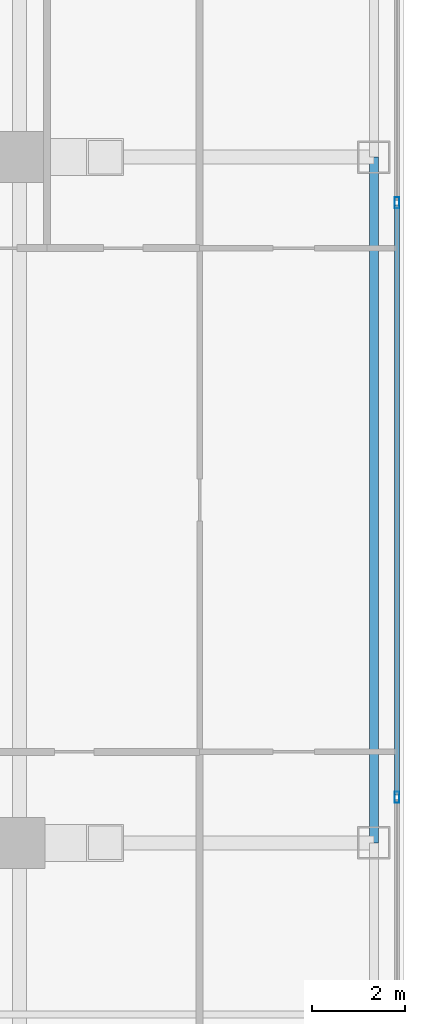
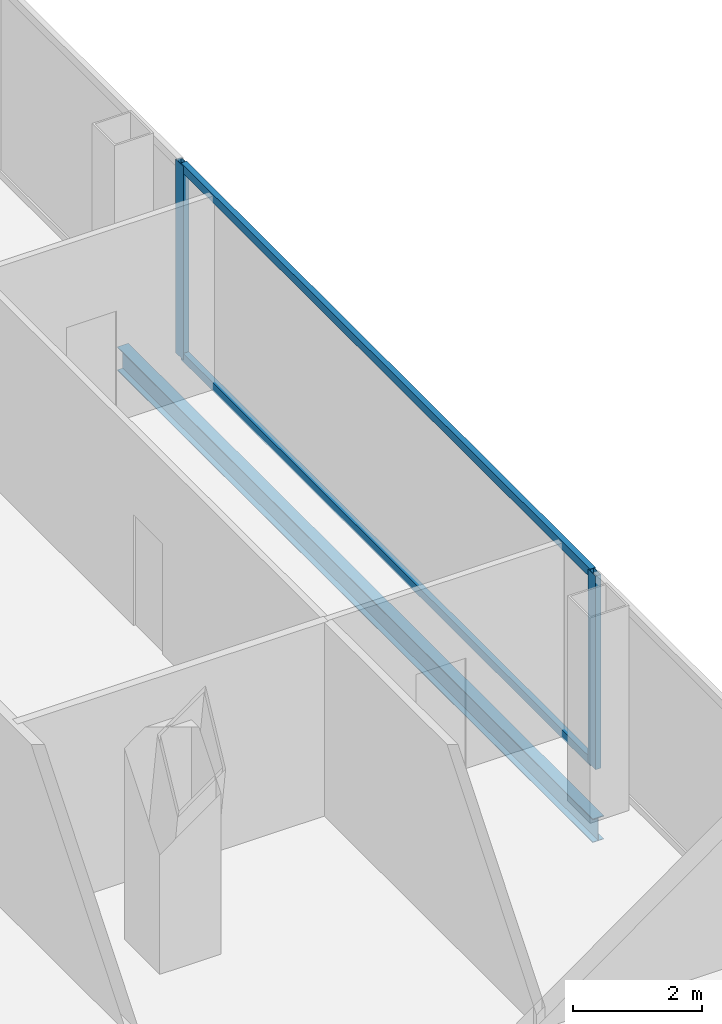
# One storey, part 13 of 32: 4 members, 1 beam, 1 element without a shape of its own.
"""IFC4 building model written with IfcOpenShell, lengths in metres."""

from ifc_helpers import new_model, si_unit, direction, frame, origin, origin_2d, place, context, subcontext, project, spatial, hollow_rectangle, i_section, extrude, material, layer, layer_set, material_profile, profile_set, type_object, element, aggregate, save


model = new_model("IFC4")

# Units and contexts
model_context = context("Model", 3, precision=1e-05, world=origin(), true_north=direction((0.0, 1.0)))
body_context = subcontext(model_context, "Body", "Model", "MODEL_VIEW")
ifc_project = project(units=[si_unit("LENGTHUNIT", "METRE"), si_unit("AREAUNIT", "SQUARE_METRE"), si_unit("VOLUMEUNIT", "CUBIC_METRE"), si_unit("PLANEANGLEUNIT", "RADIAN"), si_unit("MASSUNIT", "GRAM", prefix="KILO")], contexts=[model_context])

# Site, building, storey
site_placement = place(None, origin())
site = spatial("IfcSite", under=ifc_project, at=site_placement, CompositionType="ELEMENT")
building_placement = place(site_placement, origin())
building = spatial("IfcBuilding", under=site, at=building_placement, Name="Khorvyn Point Tower", CompositionType="ELEMENT")
storey_placement = place(building_placement, frame((0.0, 0.0, 148.5)))
storey = spatial("IfcBuildingStorey", under=building, at=storey_placement, Name="L37", CompositionType="ELEMENT", Elevation=148.5)

# Curtain wall, members
ifc_material_1 = material(Name="Anodised aluminium 6063-T6 and laminated Low-E glass", Category="aluminium")
ifc_layer = layer(ifc_material_1, 0.18994140625)
ifc_layer_set = layer_set([ifc_layer], Name="Stick-Built Acoustic Curtain Wall CW-SYS-03")
curtain_wall_type = type_object("IfcCurtainWallType", Name="Stick-Built Acoustic Curtain Wall CW-SYS-03", PredefinedType="NOTDEFINED", material=ifc_layer_set)
curtain_wall_placement = place(storey_placement, origin())
curtain_wall = element("IfcCurtainWall", 1, at=curtain_wall_placement, inside=storey, type_object=curtain_wall_type, Name="Curtain Wall", PredefinedType="NOTDEFINED")
ifc_material_2 = material(Name="Anodised aluminium 6063-T6", Category="aluminium")
ifc_material_profile_1 = material_profile(ifc_material_2, hollow_rectangle(XDim=0.10009765625, YDim=0.239990234375, WallThickness=0.0048828125, at=origin_2d()))
ifc_profile_set_1 = profile_set([ifc_material_profile_1], Name="Anodised aluminium 6063-T6 ALU-MUL-100x240")
member_type_1 = type_object("IfcMemberType", Name="Anodised Aluminium 6063-T6 Mullion ALU-MUL-100x240", PredefinedType="MULLION", material=ifc_profile_set_1)
member_1_placement = place(storey_placement, frame((27.550048828125, 6.416748046875, 0.0), z_axis=(0.0, 0.0, 1.0), x_axis=(1.0, 0.0, 0.0)))
member_1 = element("IfcMember", 2, at=member_1_placement, type_object=member_type_1, Name="Transom", PredefinedType="MULLION", context=body_context, shape_type="SweptSolid", body=[
    extrude(hollow_rectangle(XDim=0.10009765625, YDim=0.239990234375, WallThickness=0.0048828125, at=origin_2d()), origin(), (0.0, 0.0, 1.0), 3.679931640625),
])
member_2_placement = place(storey_placement, frame((27.550048828125, -6.416748046875, 0.0), z_axis=(0.0, 0.0, 1.0), x_axis=(1.0, 0.0, 0.0)))
member_2 = element("IfcMember", 3, at=member_2_placement, type_object=member_type_1, Name="Transom", PredefinedType="MULLION", context=body_context, shape_type="SweptSolid", body=[
    extrude(hollow_rectangle(XDim=0.10009765625, YDim=0.239990234375, WallThickness=0.0048828125, at=origin_2d()), origin(), (0.0, 0.0, 1.0), 3.679931640625),
])
ifc_material_profile_2 = material_profile(ifc_material_2, hollow_rectangle(XDim=0.10009765625, YDim=0.159912109375, WallThickness=0.00439453125, at=origin_2d()))
ifc_profile_set_2 = profile_set([ifc_material_profile_2], Name="Anodised aluminium 6063-T6 ALU-TRN-100x160")
member_type_2 = type_object("IfcMemberType", Name="Anodised Aluminium 6063-T6 Transom ALU-TRN-100x160", PredefinedType="USERDEFINED", material=ifc_profile_set_2)
member_3_placement = place(storey_placement, frame((27.550048828125, 6.36669921875, 0.050048828125), z_axis=(0.0, -1.0, 0.0), x_axis=(1.0, 0.0, 0.0)))
member_3 = element("IfcMember", 4, at=member_3_placement, type_object=member_type_2, Name="Transom", ObjectType="TRANSOM", PredefinedType="USERDEFINED", context=body_context, shape_type="SweptSolid", body=[
    extrude(hollow_rectangle(XDim=0.10009765625, YDim=0.159912109375, WallThickness=0.00439453125, at=origin_2d()), origin(), (0.0, 0.0, 1.0), 12.7333984375),
])
member_4_placement = place(storey_placement, frame((27.550048828125, 6.36669921875, 3.6298828125), z_axis=(0.0, -1.0, 0.0), x_axis=(1.0, 0.0, 0.0)))
member_4 = element("IfcMember", 5, at=member_4_placement, type_object=member_type_2, Name="Transom", ObjectType="TRANSOM", PredefinedType="USERDEFINED", context=body_context, shape_type="SweptSolid", body=[
    extrude(hollow_rectangle(XDim=0.10009765625, YDim=0.159912109375, WallThickness=0.00439453125, at=origin_2d()), origin(), (0.0, 0.0, 1.0), 12.7333984375),
])
aggregate(curtain_wall, [member_1, member_2, member_3, member_4])

# Beam
ifc_material_3 = material(Name="Steel S355", Category="steel")
ifc_material_profile_3 = material_profile(ifc_material_3, i_section(OverallWidth=0.199951171875, OverallDepth=0.449951171875, WebThickness=0.009033203125, FlangeThickness=0.013916015625, at=origin_2d()))
ifc_profile_set_3 = profile_set([ifc_material_profile_3], Name="Steel S355 H450x200x9x14")
beam_type = type_object("IfcBeamType", Name="Steel S355 Spandrel H450x200x9x14", PredefinedType="SPANDREL", material=ifc_profile_set_3)
beam_placement = place(storey_placement, frame((27.050048828125, -7.39990234375, -0.445068359375), z_axis=(0.0, 1.0, 0.0), x_axis=(-1.0, 0.0, 0.0)))
element("IfcBeam", 6, at=beam_placement, inside=storey, type_object=beam_type, Name="Beam", PredefinedType="SPANDREL", context=body_context, shape_type="SweptSolid", body=[
    extrude(i_section(OverallWidth=0.199951171875, OverallDepth=0.449951171875, WebThickness=0.009033203125, FlangeThickness=0.013916015625, at=origin_2d()), origin(), (0.0, 0.0, 1.0), 14.7998046875),
])

save(model, "model.ifc")
